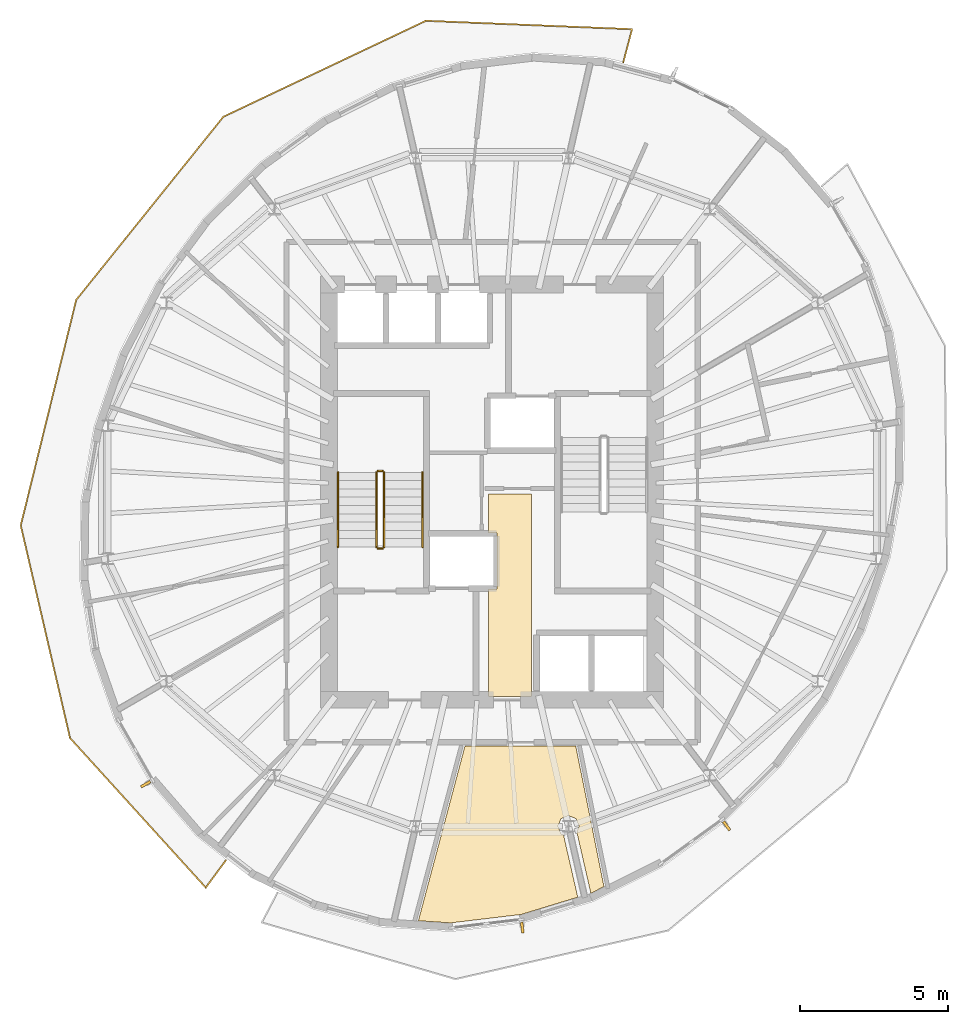
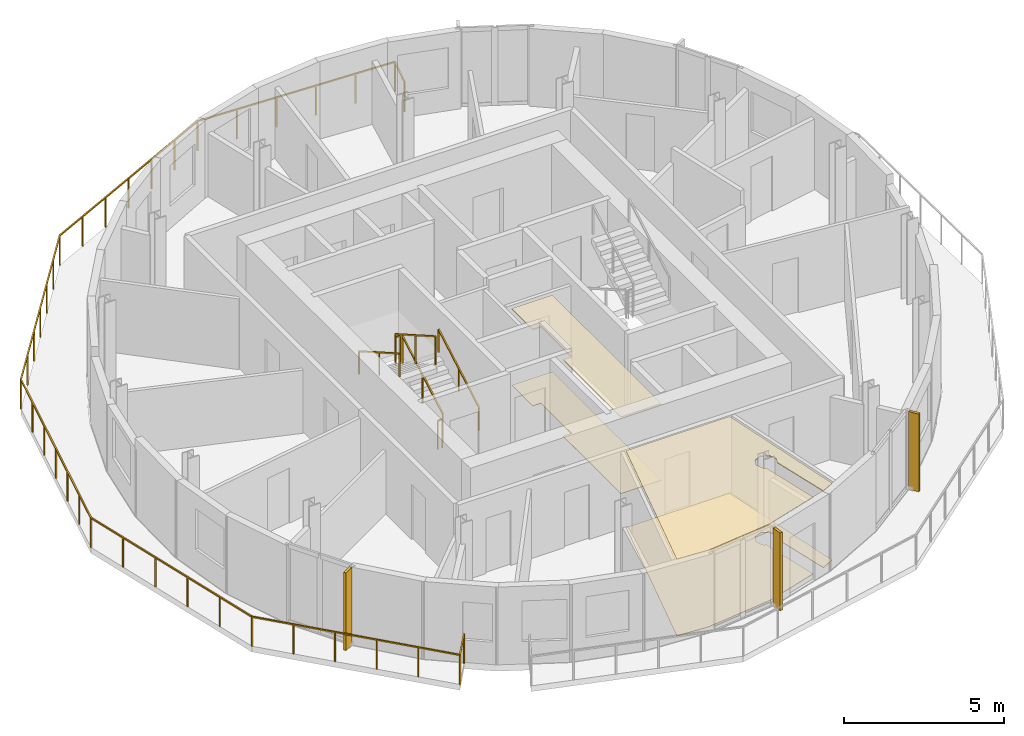
# One storey, part 8 of 9: 7 railings, 4 coverings, 3 shading devices.
"""IFC4 building model written with IfcOpenShell, lengths in metres."""

from ifc_helpers import new_model, si_unit, direction, frame, origin, origin_2d, place, context, subcontext, project, spatial, polyline, rectangle, outline, extrude, material, layer, layer_set, type_object, element, save


model = new_model("IFC4")

# Units and contexts
model_context = context("Model", 3, precision=1e-05, world=origin(), true_north=direction((0.0, 1.0)))
body_context = subcontext(model_context, "Body", "Model", "MODEL_VIEW")
ifc_project = project(units=[si_unit("LENGTHUNIT", "METRE"), si_unit("AREAUNIT", "SQUARE_METRE"), si_unit("VOLUMEUNIT", "CUBIC_METRE"), si_unit("PLANEANGLEUNIT", "RADIAN"), si_unit("MASSUNIT", "GRAM", prefix="KILO")], contexts=[model_context])

# Site, building, storey
site_placement = place(None, origin())
site = spatial("IfcSite", under=ifc_project, at=site_placement, CompositionType="ELEMENT")
building_placement = place(site_placement, origin())
building = spatial("IfcBuilding", under=site, at=building_placement, Name="Veldorim Arch Residences", CompositionType="ELEMENT")
storey_placement = place(building_placement, frame((0.0, 0.0, 233.43994140625)))
storey = spatial("IfcBuildingStorey", under=building, at=storey_placement, Name="L70", CompositionType="ELEMENT", Elevation=233.43994140625)

# Railings
ifc_material_1 = material(Name="Aluminium", Category="aluminium")
railing_type_1 = type_object("IfcRailingType", Name="Balcony & Terrace Laminated Glass Balustrade 1150", PredefinedType="BALUSTRADE", material=ifc_material_1)
railing_1_placement = place(storey_placement, frame((36.424072265625, 38.49560546875, 0.0)))
element("IfcRailing", 1, at=railing_1_placement, inside=storey, type_object=railing_type_1, Name="L70 crescent balcony safety balustrade A", PredefinedType="BALUSTRADE", context=body_context, shape_type="SweptSolid", body=[
    extrude(rectangle(XDim=0.048095703125, YDim=0.048095703125, at=origin_2d()), frame((0.0, 0.0, 1.1259765625), z_axis=(0.256050118616, 0.966663507513, 0.0), x_axis=(-0.966663507513, 0.256050118616, 0.0)), (0.0, 0.0, 1.0), 1.14990234375),
    extrude(rectangle(XDim=0.048095703125, YDim=0.048095703125, at=origin_2d()), frame((0.29443359375, 1.111572265625, 1.1259765625), z_axis=(-0.999163757182, 0.040887483829, 0.0), x_axis=(-0.040887483829, -0.999163757182, 0.0)), (0.0, 0.0, 1.0), 6.956298828125),
    extrude(rectangle(XDim=0.048095703125, YDim=0.048095703125, at=origin_2d()), frame((-6.656005859375, 1.39599609375, 1.1259765625), z_axis=(-0.9036450445, -0.428282189158, 0.0), x_axis=(0.428282189158, -0.9036450445, 0.0)), (0.0, 0.0, 1.0), 7.555419921875),
    extrude(rectangle(XDim=0.048095703125, YDim=0.048095703125, at=origin_2d()), frame((-13.4833984375, -1.83984375, 1.1259765625), z_axis=(-0.626419207254, -0.779486354456, 0.0), x_axis=(0.779486354456, -0.626419207254, 0.0)), (0.0, 0.0, 1.0), 7.919189453125),
    extrude(rectangle(XDim=0.048095703125, YDim=0.048095703125, at=origin_2d()), frame((-18.444091796875, -8.0126953125, 1.1259765625), z_axis=(-0.238829566199, -0.971061500786, 0.0), x_axis=(0.971061500786, -0.238829566199, 0.0)), (0.0, 0.0, 1.0), 7.831298828125),
    extrude(rectangle(XDim=0.048095703125, YDim=0.048095703125, at=origin_2d()), frame((-20.314453125, -15.617431640625, 1.1259765625), z_axis=(0.225884548949, -0.974154079469, 0.0), x_axis=(0.974154079469, 0.225884548949, 0.0)), (0.0, 0.0, 1.0), 7.357177734375),
    extrude(rectangle(XDim=0.048095703125, YDim=0.048095703125, at=origin_2d()), frame((-18.652587890625, -22.784423828125, 1.1259765625), z_axis=(0.672015761367, -0.740536843428, 0.0), x_axis=(0.740536843428, 0.672015761367, 0.0)), (0.0, 0.0, 1.0), 6.808837890625),
    extrude(rectangle(XDim=0.048095703125, YDim=0.048095703125, at=origin_2d()), frame((-14.076904296875, -27.82666015625, 1.1259765625), z_axis=(0.594038800594, 0.804436388653, 0.0), x_axis=(-0.804436388653, 0.594038800594, 0.0)), (0.0, 0.0, 1.0), 1.14990234375),
    extrude(rectangle(XDim=0.0419921875, YDim=0.0419921875, at=origin_2d()), origin(), (0.0, 0.0, 1.0), 1.101806640625),
    extrude(rectangle(XDim=0.0419921875, YDim=0.0419921875, at=origin_2d()), frame((0.29443359375, 1.111572265625, 0.0)), (0.0, 0.0, 1.0), 1.101806640625),
    extrude(rectangle(XDim=0.0419921875, YDim=0.0419921875, at=origin_2d()), frame((-1.095703125, 1.16845703125, 0.0)), (0.0, 0.0, 1.0), 1.101806640625),
    extrude(rectangle(XDim=0.0419921875, YDim=0.0419921875, at=origin_2d()), frame((-2.48583984375, 1.225341796875, 0.0)), (0.0, 0.0, 1.0), 1.101806640625),
    extrude(rectangle(XDim=0.0419921875, YDim=0.0419921875, at=origin_2d()), frame((-3.875732421875, 1.2822265625, 0.0)), (0.0, 0.0, 1.0), 1.101806640625),
    extrude(rectangle(XDim=0.0419921875, YDim=0.0419921875, at=origin_2d()), frame((-5.265869140625, 1.339111328125, 0.0)), (0.0, 0.0, 1.0), 1.101806640625),
    extrude(rectangle(XDim=0.0419921875, YDim=0.0419921875, at=origin_2d()), frame((-6.656005859375, 1.39599609375, 0.0)), (0.0, 0.0, 1.0), 1.101806640625),
    extrude(rectangle(XDim=0.0419921875, YDim=0.0419921875, at=origin_2d()), frame((-7.7939453125, 0.856689453125, 0.0)), (0.0, 0.0, 1.0), 1.101806640625),
    extrude(rectangle(XDim=0.0419921875, YDim=0.0419921875, at=origin_2d()), frame((-8.931884765625, 0.3173828125, 0.0)), (0.0, 0.0, 1.0), 1.101806640625),
    extrude(rectangle(XDim=0.0419921875, YDim=0.0419921875, at=origin_2d()), frame((-10.06982421875, -0.221923828125, 0.0)), (0.0, 0.0, 1.0), 1.101806640625),
    extrude(rectangle(XDim=0.0419921875, YDim=0.0419921875, at=origin_2d()), frame((-11.20751953125, -0.76123046875, 0.0)), (0.0, 0.0, 1.0), 1.101806640625),
    extrude(rectangle(XDim=0.0419921875, YDim=0.0419921875, at=origin_2d()), frame((-12.345458984375, -1.300537109375, 0.0)), (0.0, 0.0, 1.0), 1.101806640625),
    extrude(rectangle(XDim=0.0419921875, YDim=0.0419921875, at=origin_2d()), frame((-13.4833984375, -1.83984375, 0.0)), (0.0, 0.0, 1.0), 1.101806640625),
    extrude(rectangle(XDim=0.0419921875, YDim=0.0419921875, at=origin_2d()), frame((-14.31005859375, -2.86865234375, 0.0)), (0.0, 0.0, 1.0), 1.101806640625),
    extrude(rectangle(XDim=0.0419921875, YDim=0.0419921875, at=origin_2d()), frame((-15.136962890625, -3.8974609375, 0.0)), (0.0, 0.0, 1.0), 1.101806640625),
    extrude(rectangle(XDim=0.0419921875, YDim=0.0419921875, at=origin_2d()), frame((-15.9638671875, -4.92626953125, 0.0)), (0.0, 0.0, 1.0), 1.101806640625),
    extrude(rectangle(XDim=0.0419921875, YDim=0.0419921875, at=origin_2d()), frame((-16.79052734375, -5.955078125, 0.0)), (0.0, 0.0, 1.0), 1.101806640625),
    extrude(rectangle(XDim=0.0419921875, YDim=0.0419921875, at=origin_2d()), frame((-17.6171875, -6.98388671875, 0.0)), (0.0, 0.0, 1.0), 1.101806640625),
    extrude(rectangle(XDim=0.0419921875, YDim=0.0419921875, at=origin_2d()), frame((-18.444091796875, -8.0126953125, 0.0)), (0.0, 0.0, 1.0), 1.101806640625),
    extrude(rectangle(XDim=0.0419921875, YDim=0.0419921875, at=origin_2d()), frame((-18.755859375, -9.2802734375, 0.0)), (0.0, 0.0, 1.0), 1.101806640625),
    extrude(rectangle(XDim=0.0419921875, YDim=0.0419921875, at=origin_2d()), frame((-19.067626953125, -10.547607421875, 0.0)), (0.0, 0.0, 1.0), 1.101806640625),
    extrude(rectangle(XDim=0.0419921875, YDim=0.0419921875, at=origin_2d()), frame((-19.37939453125, -11.81494140625, 0.0)), (0.0, 0.0, 1.0), 1.101806640625),
    extrude(rectangle(XDim=0.0419921875, YDim=0.0419921875, at=origin_2d()), frame((-19.69091796875, -13.08251953125, 0.0)), (0.0, 0.0, 1.0), 1.101806640625),
    extrude(rectangle(XDim=0.0419921875, YDim=0.0419921875, at=origin_2d()), frame((-20.002685546875, -14.35009765625, 0.0)), (0.0, 0.0, 1.0), 1.101806640625),
    extrude(rectangle(XDim=0.0419921875, YDim=0.0419921875, at=origin_2d()), frame((-20.314453125, -15.617431640625, 0.0)), (0.0, 0.0, 1.0), 1.101806640625),
    extrude(rectangle(XDim=0.0419921875, YDim=0.0419921875, at=origin_2d()), frame((-19.982177734375, -17.05078125, 0.0)), (0.0, 0.0, 1.0), 1.101806640625),
    extrude(rectangle(XDim=0.0419921875, YDim=0.0419921875, at=origin_2d()), frame((-19.649658203125, -18.484130859375, 0.0)), (0.0, 0.0, 1.0), 1.101806640625),
    extrude(rectangle(XDim=0.0419921875, YDim=0.0419921875, at=origin_2d()), frame((-19.3173828125, -19.917724609375, 0.0)), (0.0, 0.0, 1.0), 1.101806640625),
    extrude(rectangle(XDim=0.0419921875, YDim=0.0419921875, at=origin_2d()), frame((-18.98486328125, -21.35107421875, 0.0)), (0.0, 0.0, 1.0), 1.101806640625),
    extrude(rectangle(XDim=0.0419921875, YDim=0.0419921875, at=origin_2d()), frame((-18.652587890625, -22.784423828125, 0.0)), (0.0, 0.0, 1.0), 1.101806640625),
    extrude(rectangle(XDim=0.0419921875, YDim=0.0419921875, at=origin_2d()), frame((-17.737548828125, -23.79296875, 0.0)), (0.0, 0.0, 1.0), 1.101806640625),
    extrude(rectangle(XDim=0.0419921875, YDim=0.0419921875, at=origin_2d()), frame((-16.822265625, -24.80126953125, 0.0)), (0.0, 0.0, 1.0), 1.101806640625),
    extrude(rectangle(XDim=0.0419921875, YDim=0.0419921875, at=origin_2d()), frame((-15.9072265625, -25.809814453125, 0.0)), (0.0, 0.0, 1.0), 1.101806640625),
    extrude(rectangle(XDim=0.0419921875, YDim=0.0419921875, at=origin_2d()), frame((-14.991943359375, -26.818115234375, 0.0)), (0.0, 0.0, 1.0), 1.101806640625),
    extrude(rectangle(XDim=0.0419921875, YDim=0.0419921875, at=origin_2d()), frame((-14.076904296875, -27.82666015625, 0.0)), (0.0, 0.0, 1.0), 1.101806640625),
    extrude(rectangle(XDim=0.0419921875, YDim=0.0419921875, at=origin_2d()), frame((-13.393798828125, -26.901611328125, 0.0)), (0.0, 0.0, 1.0), 1.101806640625),
])
ifc_material_2 = material(Name="Steel S355", Category="steel")
railing_type_2 = type_object("IfcRailingType", Name="Galvanised Steel Stair Safety Guardrail 1100", PredefinedType="GUARDRAIL", material=ifc_material_2)
railing_2_placement = place(storey_placement, frame((28.360107421875, 22.14990234375, 0.16015625)))
element("IfcRailing", 2, at=railing_2_placement, inside=storey, type_object=railing_type_2, Name="L70 ST-1 stair guard 1", PredefinedType="GUARDRAIL", context=body_context, shape_type="SweptSolid", body=[
    extrude(rectangle(XDim=0.048095703125, YDim=0.048095703125, at=origin_2d()), frame((0.0, 0.0, 1.076171875), z_axis=(0.0, 0.868253494771, 0.496120820787), x_axis=(-1.0, 0.0, 0.0)), (0.0, 0.0, 1.0), 2.90234375),
    extrude(rectangle(XDim=0.0419921875, YDim=0.0419921875, at=origin_2d()), origin(), (0.0, 0.0, 1.0), 1.052001953125),
    extrude(rectangle(XDim=0.0419921875, YDim=0.0419921875, at=origin_2d()), frame((0.0, 1.260009765625, 0.719970703125)), (0.0, 0.0, 1.0), 1.052001953125),
    extrude(rectangle(XDim=0.0419921875, YDim=0.0419921875, at=origin_2d()), frame((0.0, 2.52001953125, 1.43994140625)), (0.0, 0.0, 1.0), 1.052001953125),
])
railing_3_placement = place(storey_placement, frame((28.31005859375, 24.719970703125, 1.60009765625)))
element("IfcRailing", 3, at=railing_3_placement, inside=storey, type_object=railing_type_2, Name="L70 ST-1 stair guard 2", PredefinedType="GUARDRAIL", context=body_context, shape_type="SweptSolid", body=[
    extrude(rectangle(XDim=0.048095703125, YDim=0.048095703125, at=origin_2d()), frame((0.0, 0.0, 1.076171875), z_axis=(-1.0, 0.0, 0.0), x_axis=(0.0, -1.0, 0.0)), (0.0, 0.0, 1.0), 0.16015625),
    extrude(rectangle(XDim=0.0419921875, YDim=0.0419921875, at=origin_2d()), origin(), (0.0, 0.0, 1.0), 1.052001953125),
    extrude(rectangle(XDim=0.0419921875, YDim=0.0419921875, at=origin_2d()), frame((-0.16015625, 0.0, 0.0)), (0.0, 0.0, 1.0), 1.052001953125),
])
railing_4_placement = place(storey_placement, frame((28.10009765625, 24.669921875, 1.760009765625)))
element("IfcRailing", 4, at=railing_4_placement, inside=storey, type_object=railing_type_2, Name="L70 ST-1 stair guard 3", PredefinedType="GUARDRAIL", context=body_context, shape_type="SweptSolid", body=[
    extrude(rectangle(XDim=0.048095703125, YDim=0.048095703125, at=origin_2d()), frame((0.0, 0.0, 1.076171875), z_axis=(0.0, -0.868253494771, 0.496120820787), x_axis=(1.0, 0.0, 0.0)), (0.0, 0.0, 1.0), 2.90234375),
    extrude(rectangle(XDim=0.0419921875, YDim=0.0419921875, at=origin_2d()), origin(), (0.0, 0.0, 1.0), 1.052001953125),
    extrude(rectangle(XDim=0.0419921875, YDim=0.0419921875, at=origin_2d()), frame((0.0, -1.260009765625, 0.719970703125)), (0.0, 0.0, 1.0), 1.052001953125),
    extrude(rectangle(XDim=0.0419921875, YDim=0.0419921875, at=origin_2d()), frame((0.0, -2.52001953125, 1.43994140625)), (0.0, 0.0, 1.0), 1.052001953125),
])
railing_5_placement = place(storey_placement, frame((28.31005859375, 22.10009765625, 0.0)))
element("IfcRailing", 5, at=railing_5_placement, inside=storey, type_object=railing_type_2, Name="L70 ST-1 stair guard 4", PredefinedType="GUARDRAIL", context=body_context, shape_type="SweptSolid", body=[
    extrude(rectangle(XDim=0.048095703125, YDim=0.048095703125, at=origin_2d()), frame((0.0, 0.0, 1.076171875), z_axis=(-1.0, 0.0, 0.0), x_axis=(0.0, -1.0, 0.0)), (0.0, 0.0, 1.0), 0.16015625),
    extrude(rectangle(XDim=0.0419921875, YDim=0.0419921875, at=origin_2d()), origin(), (0.0, 0.0, 1.0), 1.052001953125),
    extrude(rectangle(XDim=0.0419921875, YDim=0.0419921875, at=origin_2d()), frame((-0.16015625, 0.0, 0.0)), (0.0, 0.0, 1.0), 1.052001953125),
])

# Coverings
ifc_material_3 = material(Name="Acoustic Gypsum & Mineral Fibre", Category="gypsum")
ifc_layer_1 = layer(ifc_material_3, 0.034912109375, Name="Perforated Acoustic Mineral-Fibre Ceiling 35")
ifc_layer_set_1 = layer_set([ifc_layer_1], Name="Acoustic Gypsum & Mineral Fibre")
covering_type_1 = type_object("IfcCoveringType", Name="Perforated Acoustic Mineral-Fibre Ceiling 35", PredefinedType="CEILING", material=ifc_layer_set_1)
covering_1_placement = place(storey_placement, frame((0.0, 0.0, 2.905029296875)))
element("IfcCovering", 6, at=covering_1_placement, inside=storey, type_object=covering_type_1, Name="L70 acoustic suspended ceiling 01", PredefinedType="CEILING", context=body_context, shape_type="SweptSolid", body=[
    extrude(outline(polyline([(33.330078125, 23.929931640625), (33.330078125, 17.1201171875), (31.8701171875, 17.1201171875), (31.8701171875, 20.735107421875), (32.169921875, 20.735107421875), (32.169921875, 22.625), (31.8701171875, 22.625), (31.8701171875, 23.929931640625), (33.330078125, 23.929931640625)])), origin(), (0.0, 0.0, 1.0), 0.034912109375),
])
covering_2_placement = place(storey_placement, frame((0.0, 0.0, 2.905029296875)))
element("IfcCovering", 7, at=covering_2_placement, inside=storey, type_object=covering_type_1, Name="L70 acoustic suspended ceiling 02", PredefinedType="CEILING", context=body_context, shape_type="SweptSolid", body=[
    extrude(outline(polyline([(34.9345703125, 12.740478515625), (34.829345703125, 12.99462890625), (34.5751953125, 13.10009765625), (34.321044921875, 12.99462890625), (34.2158203125, 12.740478515625), (34.321044921875, 12.486572265625), (34.40576171875, 12.451416015625), (34.886962890625, 10.346923828125), (32.97802734375, 9.764892578125), (30.60009765625, 9.481201171875), (29.514404296875, 9.553955078125), (31.08642578125, 15.449951171875), (34.819091796875, 15.449951171875), (35.772216796875, 10.7041015625), (35.32763671875, 10.4814453125), (34.85498046875, 12.548095703125), (34.9345703125, 12.740478515625)])), origin(), (0.0, 0.0, 1.0), 0.034912109375),
])
ifc_material_4 = material(Name="Porcelain Ceramic Tile", Category="ceramic")
ifc_layer_2 = layer(ifc_material_4, 0.02001953125, Name="Slip-Resistant Porcelain & Vinyl Floor Finish 20")
ifc_layer_set_2 = layer_set([ifc_layer_2], Name="Porcelain Ceramic Tile")
covering_type_2 = type_object("IfcCoveringType", Name="Slip-Resistant Porcelain & Vinyl Floor Finish 20", PredefinedType="FLOORING", material=ifc_layer_set_2)
covering_3_placement = place(storey_placement, origin())
element("IfcCovering", 8, at=covering_3_placement, inside=storey, type_object=covering_type_2, Name="L70 porcelain floor finish 01", PredefinedType="FLOORING", context=body_context, shape_type="SweptSolid", body=[
    extrude(outline(polyline([(33.330078125, 23.929931640625), (33.330078125, 17.1201171875), (31.8701171875, 17.1201171875), (31.8701171875, 20.735107421875), (32.169921875, 20.735107421875), (32.169921875, 22.625), (31.8701171875, 22.625), (31.8701171875, 23.929931640625), (33.330078125, 23.929931640625)])), origin(), (0.0, 0.0, 1.0), 0.02001953125),
])
covering_4_placement = place(storey_placement, origin())
element("IfcCovering", 9, at=covering_4_placement, inside=storey, type_object=covering_type_2, Name="L70 porcelain floor finish 02", PredefinedType="FLOORING", context=body_context, shape_type="SweptSolid", body=[
    extrude(outline(polyline([(34.9345703125, 12.740478515625), (34.829345703125, 12.99462890625), (34.5751953125, 13.10009765625), (34.321044921875, 12.99462890625), (34.2158203125, 12.740478515625), (34.321044921875, 12.486572265625), (34.40576171875, 12.451416015625), (34.886962890625, 10.346923828125), (32.97802734375, 9.764892578125), (30.60009765625, 9.481201171875), (29.514404296875, 9.553955078125), (31.08642578125, 15.449951171875), (34.819091796875, 15.449951171875), (35.772216796875, 10.7041015625), (35.32763671875, 10.4814453125), (34.85498046875, 12.548095703125), (34.9345703125, 12.740478515625)])), origin(), (0.0, 0.0, 1.0), 0.02001953125),
])

# Railings
ifc_material_5 = material(Name="Stainless Steel", Category="steel")
railing_type_3 = type_object("IfcRailingType", Name="Tubular Steel Continuous Wall Handrail 900", PredefinedType="HANDRAIL", material=ifc_material_5)
railing_6_placement = place(storey_placement, frame((29.659912109375, 22.14990234375, 0.16015625)))
element("IfcRailing", 10, at=railing_6_placement, inside=storey, type_object=railing_type_3, Name="L70 ST-1 stair handrail 1", PredefinedType="HANDRAIL", context=body_context, shape_type="SweptSolid", body=[
    extrude(rectangle(XDim=0.048095703125, YDim=0.048095703125, at=origin_2d()), frame((0.0, 0.0, 0.8759765625), z_axis=(0.0, 0.868253494771, 0.496120820787), x_axis=(-1.0, 0.0, 0.0)), (0.0, 0.0, 1.0), 2.90234375),
    extrude(rectangle(XDim=0.0419921875, YDim=0.0419921875, at=origin_2d()), origin(), (0.0, 0.0, 1.0), 0.851806640625),
    extrude(rectangle(XDim=0.0419921875, YDim=0.0419921875, at=origin_2d()), frame((0.0, 1.260009765625, 0.719970703125)), (0.0, 0.0, 1.0), 0.851806640625),
    extrude(rectangle(XDim=0.0419921875, YDim=0.0419921875, at=origin_2d()), frame((0.0, 2.52001953125, 1.43994140625)), (0.0, 0.0, 1.0), 0.851806640625),
])
railing_7_placement = place(storey_placement, frame((26.800048828125, 24.669921875, 1.760009765625)))
element("IfcRailing", 11, at=railing_7_placement, inside=storey, type_object=railing_type_3, Name="L70 ST-1 stair handrail 2", PredefinedType="HANDRAIL", context=body_context, shape_type="SweptSolid", body=[
    extrude(rectangle(XDim=0.048095703125, YDim=0.048095703125, at=origin_2d()), frame((0.0, 0.0, 0.8759765625), z_axis=(0.0, -0.868253494771, 0.496120820787), x_axis=(1.0, 0.0, 0.0)), (0.0, 0.0, 1.0), 2.90234375),
    extrude(rectangle(XDim=0.0419921875, YDim=0.0419921875, at=origin_2d()), origin(), (0.0, 0.0, 1.0), 0.851806640625),
    extrude(rectangle(XDim=0.0419921875, YDim=0.0419921875, at=origin_2d()), frame((0.0, -1.260009765625, 0.719970703125)), (0.0, 0.0, 1.0), 0.851806640625),
    extrude(rectangle(XDim=0.0419921875, YDim=0.0419921875, at=origin_2d()), frame((0.0, -2.52001953125, 1.43994140625)), (0.0, 0.0, 1.0), 0.851806640625),
])

# Shading devices
ifc_material_6 = material(Name="Terracotta Ceramic", Category="masonry")
ifc_layer_3 = layer(ifc_material_6, 0.090087890625, Name="Vertical Extruded Terracotta Baguette Sun-Shading Fin")
ifc_layer_set_3 = layer_set([ifc_layer_3], Name="Terracotta Ceramic")
shading_device_type = type_object("IfcShadingDeviceType", Name="Vertical Extruded Terracotta Baguette Sun-Shading Fin", PredefinedType="USERDEFINED", material=ifc_layer_set_3)
for number, where, z_axis, x_axis, name in (
    (12, (20.32373046875, 14.155517578125, 0.0), (0.0, 0.0, 1.0), (-0.496216503675, 0.868198814489, 0.0), "L70 vertical terracotta sun-shading fin 16"),
    (13, (33.01611328125, 9.323974609375, 0.0), (0.0, 0.0, 1.0), (-0.992944827592, -0.118577271677, 0.0), "L70 vertical terracotta sun-shading fin 22"),
    (14, (39.906982421875, 12.748291015625, 0.0), (0.0, 0.0, 1.0), (-0.81014396939, -0.586230968869, 0.0), "L70 vertical terracotta sun-shading fin 25"),
):
    element("IfcShadingDevice", number, at=place(storey_placement, frame(where, z_axis=z_axis, x_axis=x_axis)), inside=storey, type_object=shading_device_type, Name=name, ObjectType="FIN", PredefinedType="USERDEFINED", context=body_context, shape_type="SweptSolid", body=[
        extrude(rectangle(XDim=0.090087890625, YDim=0.360107421875, at=origin_2d()), origin(), (0.0, 0.0, 1.0), 2.9599609375),
    ])

save(model, "model.ifc")
